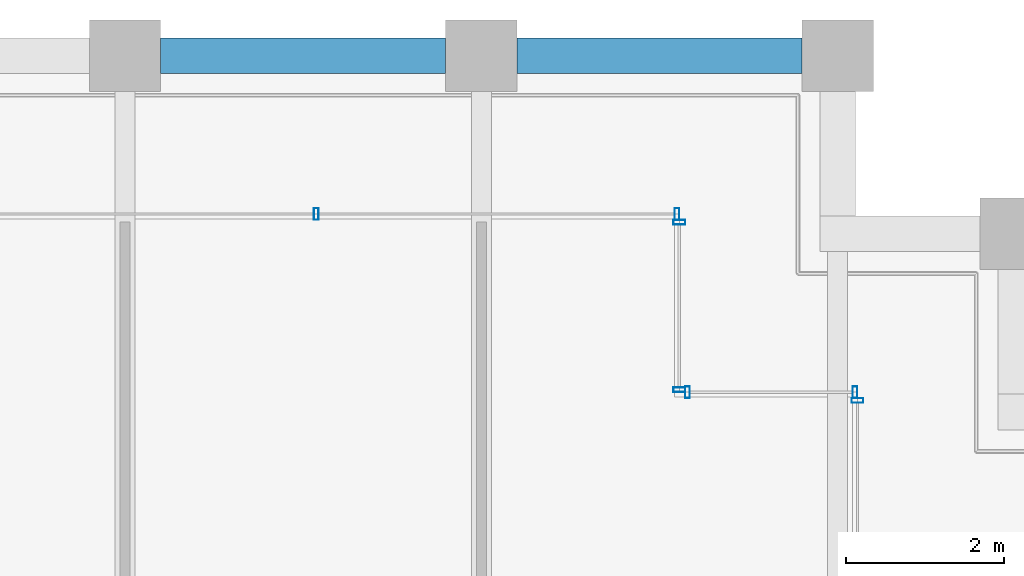
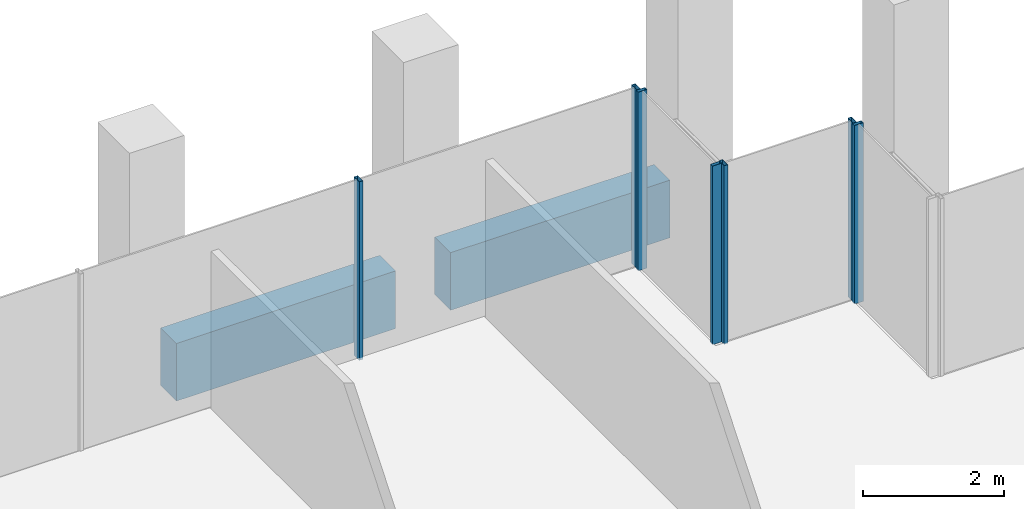
# One storey, part 26 of 40: 7 members, 2 beams, 4 elements without a shape of their own.
"""IFC4 building model written with IfcOpenShell, lengths in metres."""

from ifc_helpers import new_model, si_unit, direction, frame, origin, origin_2d, place, context, subcontext, project, spatial, rectangle, hollow_rectangle, extrude, material, material_profile, profile_set, type_object, element, aggregate, save


model = new_model("IFC4")

# Units and contexts
model_context = context("Model", 3, precision=1e-05, world=origin(), true_north=direction((0.0, 1.0)))
body_context = subcontext(model_context, "Body", "Model", "MODEL_VIEW")
ifc_project = project(units=[si_unit("LENGTHUNIT", "METRE"), si_unit("AREAUNIT", "SQUARE_METRE"), si_unit("VOLUMEUNIT", "CUBIC_METRE"), si_unit("PLANEANGLEUNIT", "RADIAN"), si_unit("MASSUNIT", "GRAM", prefix="KILO")], contexts=[model_context])

# Site, building, storey
site_placement = place(None, origin())
site = spatial("IfcSite", under=ifc_project, at=site_placement, CompositionType="ELEMENT")
building_placement = place(site_placement, origin())
building = spatial("IfcBuilding", under=site, at=building_placement, Name="Altepetl Exchange Towers", CompositionType="ELEMENT")
storey_placement = place(building_placement, frame((0.0, 0.0, 183.39990234375)))
storey = spatial("IfcBuildingStorey", under=building, at=storey_placement, Name="L46", CompositionType="ELEMENT", Elevation=183.39990234375)

# Curtain wall, member
ifc_material_1 = material(Name="Aluminium 6063-T6 glazing", Category="aluminium")
curtain_wall_type = type_object("IfcCurtainWallType", Name="Loggia glazing system", PredefinedType="NOTDEFINED", material=ifc_material_1)
curtain_wall_1_placement = place(storey_placement, origin())
curtain_wall_1 = element("IfcCurtainWall", 1, at=curtain_wall_1_placement, inside=storey, type_object=curtain_wall_type, Name="CW1 run", PredefinedType="NOTDEFINED")
ifc_material_2 = material(Name="Aluminium 6063-T6", Category="aluminium")
ifc_material_profile_1 = material_profile(ifc_material_2, hollow_rectangle(XDim=0.06005859375, YDim=0.14990234375, WallThickness=0.0029296875, at=origin_2d()), Name="Mullion 60x150 aluminium")
ifc_profile_set_1 = profile_set([ifc_material_profile_1], Name="Aluminium 6063-T6")
member_type = type_object("IfcMemberType", Name="Mullion 60x150 aluminium", PredefinedType="MULLION", material=ifc_profile_set_1)
member_1_placement = place(storey_placement, frame((67.75, 67.64501953125, 0.0), z_axis=(0.0, 0.0, 1.0), x_axis=(0.0, 1.0, 0.0)))
member_1 = element("IfcMember", 2, at=member_1_placement, type_object=member_type, Name="MU1 mullion", PredefinedType="MULLION", context=body_context, shape_type="SweptSolid", body=[
    extrude(hollow_rectangle(XDim=0.06005859375, YDim=0.14990234375, WallThickness=0.0029296875, at=origin_2d()), origin(), (0.0, 0.0, 1.0), 3.10009765625),
])
aggregate(curtain_wall_1, [member_1])

# Curtain wall, members
curtain_wall_2_placement = place(storey_placement, origin())
curtain_wall_2 = element("IfcCurtainWall", 3, at=curtain_wall_2_placement, inside=storey, type_object=curtain_wall_type, Name="CW1 run", PredefinedType="NOTDEFINED")
member_2_placement = place(storey_placement, frame((67.719970703125, 67.75, 0.0), z_axis=(0.0, 0.0, 1.0), x_axis=(-1.0, 0.0, 0.0)))
member_2 = element("IfcMember", 4, at=member_2_placement, type_object=member_type, Name="MU1 mullion", PredefinedType="MULLION", context=body_context, shape_type="SweptSolid", body=[
    extrude(hollow_rectangle(XDim=0.06005859375, YDim=0.14990234375, WallThickness=0.0029296875, at=origin_2d()), origin(), (0.0, 0.0, 1.0), 3.10009765625),
])
member_3_placement = place(storey_placement, frame((65.60498046875, 67.75, 0.0), z_axis=(0.0, 0.0, 1.0), x_axis=(-1.0, 0.0, 0.0)))
member_3 = element("IfcMember", 5, at=member_3_placement, type_object=member_type, Name="MU1 mullion", PredefinedType="MULLION", context=body_context, shape_type="SweptSolid", body=[
    extrude(hollow_rectangle(XDim=0.06005859375, YDim=0.14990234375, WallThickness=0.0029296875, at=origin_2d()), origin(), (0.0, 0.0, 1.0), 3.10009765625),
])
aggregate(curtain_wall_2, [member_2, member_3])

curtain_wall_3_placement = place(storey_placement, origin())
curtain_wall_3 = element("IfcCurtainWall", 6, at=curtain_wall_3_placement, inside=storey, type_object=curtain_wall_type, Name="CW1 run", PredefinedType="NOTDEFINED")
member_4_placement = place(storey_placement, frame((65.5, 67.780029296875, 0.0), z_axis=(0.0, 0.0, 1.0), x_axis=(0.0, 1.0, 0.0)))
member_4 = element("IfcMember", 7, at=member_4_placement, type_object=member_type, Name="MU1 mullion", PredefinedType="MULLION", context=body_context, shape_type="SweptSolid", body=[
    extrude(hollow_rectangle(XDim=0.06005859375, YDim=0.14990234375, WallThickness=0.0029296875, at=origin_2d()), origin(), (0.0, 0.0, 1.0), 3.10009765625),
])
member_5_placement = place(storey_placement, frame((65.5, 69.89501953125, 0.0), z_axis=(0.0, 0.0, 1.0), x_axis=(0.0, 1.0, 0.0)))
member_5 = element("IfcMember", 8, at=member_5_placement, type_object=member_type, Name="MU1 mullion", PredefinedType="MULLION", context=body_context, shape_type="SweptSolid", body=[
    extrude(hollow_rectangle(XDim=0.06005859375, YDim=0.14990234375, WallThickness=0.0029296875, at=origin_2d()), origin(), (0.0, 0.0, 1.0), 3.10009765625),
])
aggregate(curtain_wall_3, [member_4, member_5])

curtain_wall_4_placement = place(storey_placement, origin())
curtain_wall_4 = element("IfcCurtainWall", 9, at=curtain_wall_4_placement, inside=storey, type_object=curtain_wall_type, Name="CW1 run", PredefinedType="NOTDEFINED")
member_6_placement = place(storey_placement, frame((65.469970703125, 70.0, 0.0), z_axis=(0.0, 0.0, 1.0), x_axis=(-1.0, 0.0, 0.0)))
member_6 = element("IfcMember", 10, at=member_6_placement, type_object=member_type, Name="MU1 mullion", PredefinedType="MULLION", context=body_context, shape_type="SweptSolid", body=[
    extrude(hollow_rectangle(XDim=0.06005859375, YDim=0.14990234375, WallThickness=0.0029296875, at=origin_2d()), origin(), (0.0, 0.0, 1.0), 3.10009765625),
])
member_7_placement = place(storey_placement, frame((60.9150390625, 70.0, 0.0), z_axis=(0.0, 0.0, 1.0), x_axis=(-1.0, 0.0, 0.0)))
member_7 = element("IfcMember", 11, at=member_7_placement, type_object=member_type, Name="MU1 mullion", PredefinedType="MULLION", context=body_context, shape_type="SweptSolid", body=[
    extrude(hollow_rectangle(XDim=0.06005859375, YDim=0.14990234375, WallThickness=0.0029296875, at=origin_2d()), origin(), (0.0, 0.0, 1.0), 3.10009765625),
])
aggregate(curtain_wall_4, [member_6, member_7])

# Beams
ifc_material_3 = material(Name="Concrete C50/60 precast with cantera rosa facing", Category="concrete")
ifc_material_profile_2 = material_profile(ifc_material_3, rectangle(XDim=0.449951171875, YDim=1.0, at=origin_2d()), Name="450 x 1000")
ifc_profile_set_2 = profile_set([ifc_material_profile_2], Name="Concrete C50/60 precast with cantera rosa facing")
beam_type = type_object("IfcBeamType", Name="Spandrel beam 450x1000 cantera rosa", PredefinedType="SPANDREL", material=ifc_profile_set_2)
for number, where, z_axis, x_axis, name in (
    (12, (67.050048828125, 72.0, -0.64990234375), (-1.0, 0.0, 0.0), (0.0, -1.0, 0.0), "sp:A:L46:024"),
    (13, (62.550048828125, 72.0, -0.64990234375), (-1.0, 0.0, 0.0), (0.0, -1.0, 0.0), "sp:A:L46:025"),
):
    element("IfcBeam", number, at=place(storey_placement, frame(where, z_axis=z_axis, x_axis=x_axis)), inside=storey, type_object=beam_type, Name=name, PredefinedType="SPANDREL", context=body_context, shape_type="SweptSolid", body=[
        extrude(rectangle(XDim=0.449951171875, YDim=1.0, at=origin_2d()), origin(), (0.0, 0.0, 1.0), 3.60009765625),
    ])

save(model, "model.ifc")
